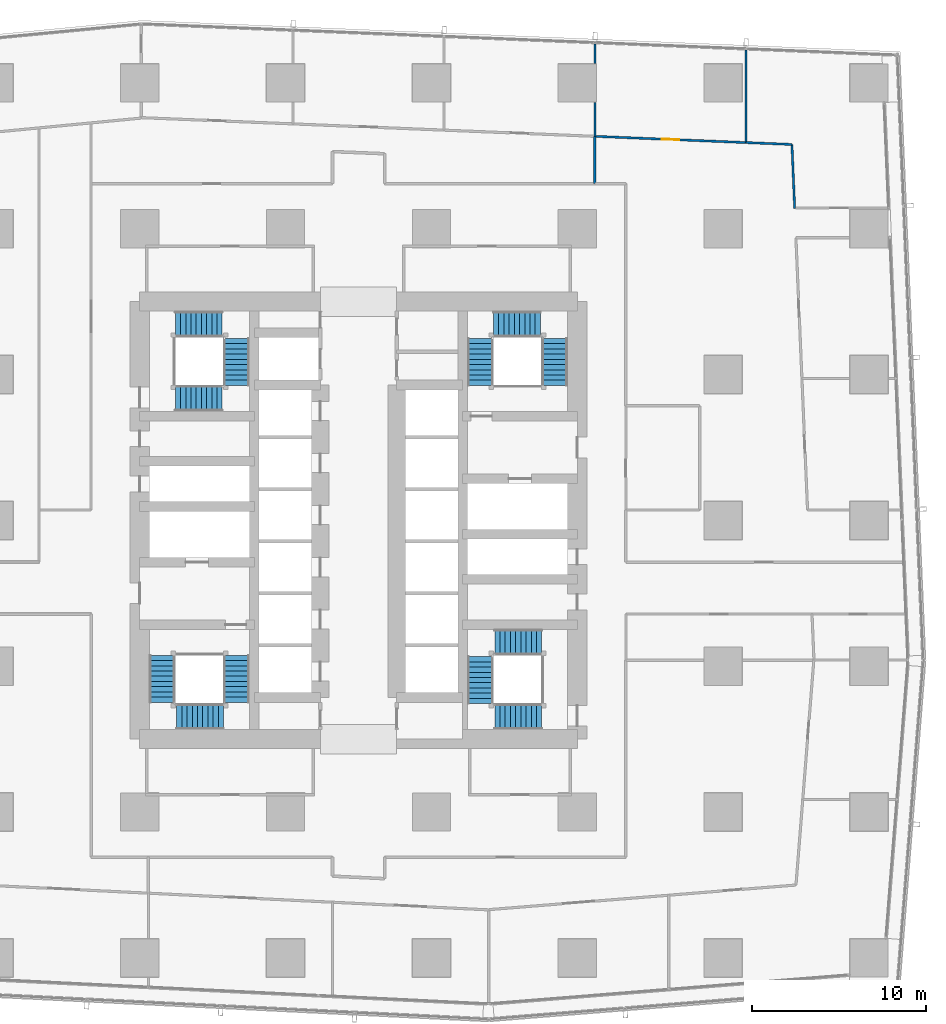
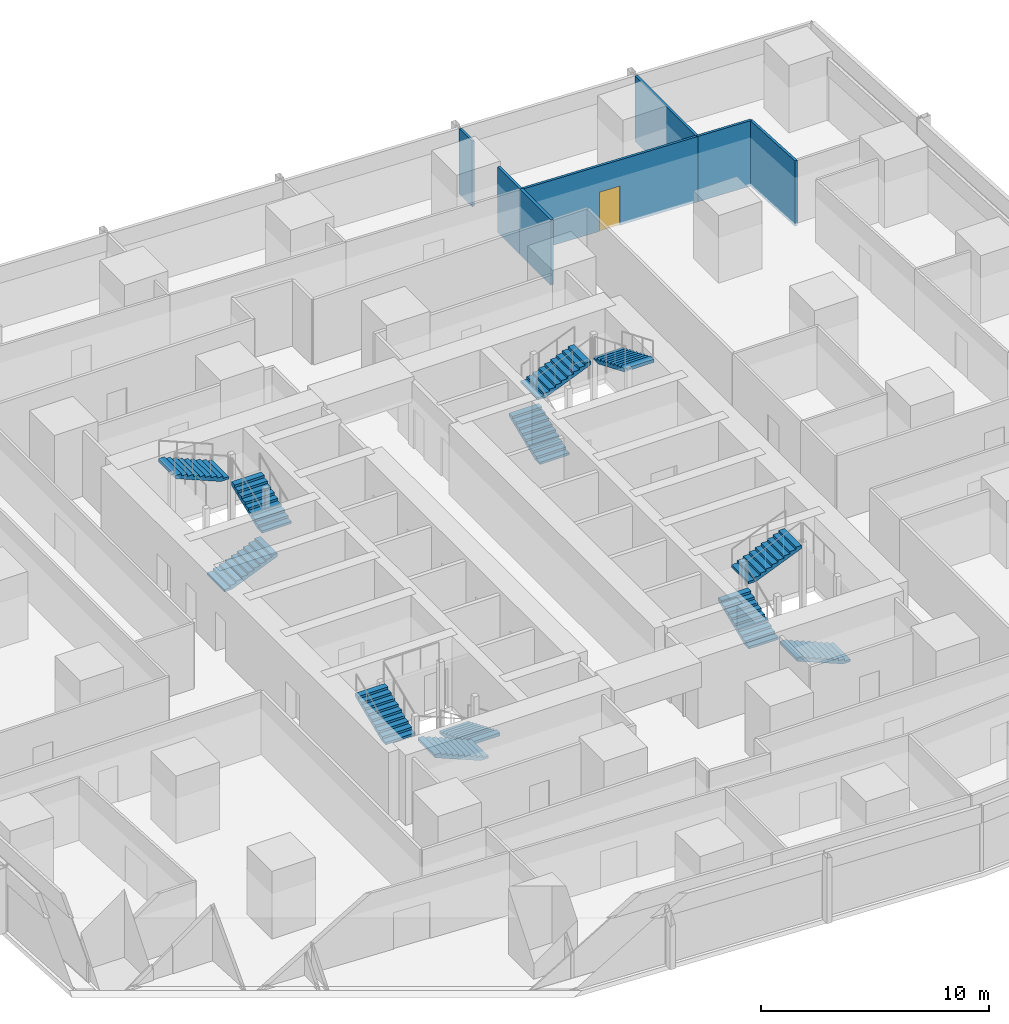
# One storey, part 35 of 44: 12 stair flights, 7 walls, 1 door, 1 opening, 4 elements without a shape of their own.
"""IFC4 building model written with IfcOpenShell, lengths in metres."""

from ifc_helpers import new_model, si_unit, direction, frame, frame_2d, origin, place, context, subcontext, project, spatial, polyline, rectangle, outline, extrude, material, layer, layer_set, type_object, element, fill, aggregate, save


model = new_model("IFC4")

# Units and contexts
model_context = context("Model", 3, precision=1e-05, world=origin(), true_north=direction((0.0, 1.0)))
body_context = subcontext(model_context, "Body", "Model", "MODEL_VIEW")
ifc_project = project(units=[si_unit("LENGTHUNIT", "METRE"), si_unit("AREAUNIT", "SQUARE_METRE"), si_unit("VOLUMEUNIT", "CUBIC_METRE"), si_unit("PLANEANGLEUNIT", "RADIAN"), si_unit("MASSUNIT", "GRAM", prefix="KILO")], contexts=[model_context])

# Site, building, storey
site_placement = place(None, origin())
site = spatial("IfcSite", under=ifc_project, at=site_placement, CompositionType="ELEMENT")
building_placement = place(site_placement, origin())
building = spatial("IfcBuilding", under=site, at=building_placement, Name="Rekha Terrace Tower", CompositionType="ELEMENT")
storey_placement = place(building_placement, frame((0.0, 0.0, 74.14990234375)))
storey = spatial("IfcBuildingStorey", under=building, at=storey_placement, Name="L18", CompositionType="ELEMENT", Elevation=74.14990234375)

# Walls
ifc_material_1 = material(Name="Concrete block masonry, 1 hour", Category="masonry")
ifc_layer_1 = layer(ifc_material_1, 0.14990234375)
ifc_layer_set_1 = layer_set([ifc_layer_1], Name="Concrete block masonry, 1 hour")
wall_type_1 = type_object("IfcWallType", Name="WP2 150 tenancy partition", PredefinedType="PARTITIONING", material=ifc_layer_set_1)
wall_1_placement = place(storey_placement, frame((51.416015625, 53.0, 0.0), z_axis=(0.0, 0.0, 1.0), x_axis=(0.0, 1.0, 0.0)))
element("IfcWall", 1, at=wall_1_placement, inside=storey, type_object=wall_type_1, Name="Partition L18-O2", PredefinedType="PARTITIONING", context=body_context, shape_type="SweptSolid", body=[
    extrude(rectangle(XDim=2.719970703125, YDim=0.14990234375, at=frame_2d((1.35986328125, 0.0))), origin(), (0.0, 0.0, 1.0), 3.5),
])
ifc_material_2 = material(Name="Two layers of fire-rated gypsum board each side on steel studs, acoustic quilt, 1 hour", Category="steel")
ifc_layer_2 = layer(ifc_material_2, 0.125)
ifc_layer_set_2 = layer_set([ifc_layer_2], Name="Two layers of fire-rated gypsum board each side on steel studs, acoustic quilt, 1 hour")
wall_type_2 = type_object("IfcWallType", Name="WP3 125 office partition", PredefinedType="PARTITIONING", material=ifc_layer_set_2)
wall_2_placement = place(storey_placement, frame((60.112060546875, 55.361083984375, 0.0), z_axis=(0.0, 0.0, 1.0), x_axis=(0.0, 1.0, 0.0)))
element("IfcWall", 2, at=wall_2_placement, inside=storey, type_object=wall_type_2, Name="Partition L18-09", PredefinedType="PARTITIONING", context=body_context, shape_type="SweptSolid", body=[
    extrude(rectangle(XDim=5.324951171875, YDim=0.125, at=frame_2d((2.66259765625, 0.0))), origin(), (0.0, 0.0, 1.0), 3.5),
])
wall_3_placement = place(storey_placement, frame((62.9208984375, 51.556884765625, 0.0), z_axis=(0.0, 0.0, 1.0), x_axis=(-0.042709589124, 0.999087529197, 0.0)))
element("IfcWall", 3, at=wall_3_placement, inside=storey, type_object=wall_type_2, Name="Partition L18-09", PredefinedType="PARTITIONING", context=body_context, shape_type="SweptSolid", body=[
    extrude(rectangle(XDim=3.698486328125, YDim=0.125, at=frame_2d((1.84912109375, 0.0))), origin(), (0.0, 0.0, 1.0), 3.5),
])
wall_4_placement = place(storey_placement, frame((62.762939453125, 55.251953125, 0.0), z_axis=(0.0, 0.0, 1.0), x_axis=(-0.999153681613, 0.041132961474, 0.0)))
element("IfcWall", 4, at=wall_4_placement, inside=storey, type_object=wall_type_2, Name="Partition L18-09", PredefinedType="PARTITIONING", context=body_context, shape_type="SweptSolid", body=[
    extrude(rectangle(XDim=2.653076171875, YDim=0.125, at=frame_2d((1.32666015625, 0.0))), origin(), (0.0, 0.0, 1.0), 3.5),
])

# Wall, opening, door
wall_5_placement = place(storey_placement, frame((60.111083984375, 55.361083984375, 0.0), z_axis=(0.0, 0.0, 1.0), x_axis=(-0.99914928457, 0.041239630726, 0.0)))
wall_5 = element("IfcWall", 5, at=wall_5_placement, inside=storey, type_object=wall_type_2, Name="Partition L18-10", PredefinedType="PARTITIONING", context=body_context, shape_type="SweptSolid", body=[
    extrude(rectangle(XDim=8.702392578125, YDim=0.125, at=frame_2d((4.35107421875, 0.0))), origin(), (0.0, 0.0, 1.0), 3.5),
])
opening_placement = place(wall_5_placement, frame((3.85107421875, 0.0, 0.0)))
opening = element("IfcOpeningElement", 6, at=opening_placement, cuts=wall_5, Name="Opening D9", PredefinedType="OPENING", context=body_context, shape_type="SweptSolid", body=[
    extrude(rectangle(XDim=1.0, YDim=2.10009765625, at=frame_2d((0.5, 1.050048828125))), frame((0.0, 0.072509765625, 0.0), z_axis=(0.0, -1.0, 0.0), x_axis=(1.0, 0.0, 0.0)), (0.0, 0.0, 1.0), 0.14501953125),
])
ifc_material_3 = material(Name="Timber fire door", Category="wood")
door_type = type_object("IfcDoorType", Name="D9 1000x2100 office door", OperationType="SINGLE_SWING_LEFT", PredefinedType="DOOR", material=ifc_material_3)
door_placement = place(opening_placement, origin())
door = element("IfcDoor", 7, at=door_placement, inside=storey, type_object=door_type, Name="Door office L18", OperationType="SINGLE_SWING_LEFT", OverallHeight=2.10009765625, OverallWidth=1.0, PredefinedType="DOOR", context=body_context, shape_type="SweptSolid", body=[
    extrude(rectangle(XDim=1.0, YDim=2.10009765625, at=frame_2d((0.5, 1.050048828125))), frame((0.0, 0.02490234375, 0.0), z_axis=(0.0, -1.0, 0.0), x_axis=(1.0, 0.0, 0.0)), (0.0, 0.0, 1.0), 0.050048828125),
])
fill(opening, door)

# Walls
wall_6_placement = place(storey_placement, frame((51.416015625, 55.719970703125, 0.0), z_axis=(0.0, 0.0, 1.0), x_axis=(0.0, 1.0, 0.0)))
element("IfcWall", 8, at=wall_6_placement, inside=storey, type_object=wall_type_2, Name="Partition L18-10", PredefinedType="PARTITIONING", context=body_context, shape_type="SweptSolid", body=[
    extrude(rectangle(XDim=1.9599609375, YDim=0.125, at=frame_2d((0.97998046875, 0.0))), origin(), (0.0, 0.0, 1.0), 3.5),
])
wall_7_placement = place(storey_placement, frame((51.416015625, 59.919921875, 0.0), z_axis=(0.0, 0.0, 1.0), x_axis=(0.0, 1.0, 0.0)))
element("IfcWall", 9, at=wall_7_placement, inside=storey, type_object=wall_type_2, Name="Partition L18-10", PredefinedType="PARTITIONING", context=body_context, shape_type="SweptSolid", body=[
    extrude(rectangle(XDim=1.1240234375, YDim=0.125, at=frame_2d((0.56201171875, 0.0))), origin(), (0.0, 0.0, 1.0), 3.5),
])

# Stair, stair flights
ifc_material_4 = material(Name="Concrete M40", Category="concrete")
stair_type = type_object("IfcStairType", Name="ST30 stair, 30 risers of 125, going 300, 1500 wide flights, 3 flights", PredefinedType="HALF_TURN_STAIR", material=ifc_material_4)
stair_1_placement = place(storey_placement, origin())
stair_1 = element("IfcStair", 10, at=stair_1_placement, inside=storey, type_object=stair_type, Name="Stair ST1 L18 to L19", PredefinedType="HALF_TURN_STAIR")
stair_flight_type = type_object("IfcStairFlightType", Name="SF10 stair flight, 10 risers of 125, going 300, 1500 wide", PredefinedType="STRAIGHT", material=ifc_material_4)
stair_flight_1_placement = place(storey_placement, frame((30.77490234375, 25.824951171875, 0.0), z_axis=(0.0, 0.0, 1.0), x_axis=(0.0, -1.0, 0.0)))
stair_flight_1 = element("IfcStairFlight", 11, at=stair_flight_1_placement, type_object=stair_flight_type, Name="ST1 flight 1", NumberOfRisers=10, NumberOfTreads=9, PredefinedType="STRAIGHT", RiserHeight=0.125, TreadLength=0.3, context=body_context, shape_type="SweptSolid", body=[
    extrude(outline(polyline([(0.0, 0.0), (0.0, 0.125), (0.300048828125, 0.125), (0.300048828125, 0.25), (0.60009765625, 0.25), (0.60009765625, 0.375), (0.89990234375, 0.375), (0.89990234375, 0.5), (1.199951171875, 0.5), (1.199951171875, 0.625), (1.5, 0.625), (1.5, 0.75), (1.800048828125, 0.75), (1.800048828125, 0.875), (2.10009765625, 0.875), (2.10009765625, 1.0), (2.39990234375, 1.0), (2.39990234375, 1.125), (2.699951171875, 1.125), (2.699951171875, 1.25), (2.699951171875, 0.962646484375), (0.3896484375, 0.0), (0.0, 0.0)])), frame((0.0, 0.75, 0.0), z_axis=(0.0, -1.0, 0.0), x_axis=(1.0, 0.0, 0.0)), (0.0, 0.0, 1.0), 1.5),
])
stair_flight_2_placement = place(storey_placement, frame((30.02490234375, 22.300048828125, 1.25), z_axis=(0.0, 0.0, 1.0), x_axis=(-1.0, 0.0, 0.0)))
stair_flight_2 = element("IfcStairFlight", 12, at=stair_flight_2_placement, type_object=stair_flight_type, Name="ST1 flight 2", NumberOfRisers=10, NumberOfTreads=9, PredefinedType="STRAIGHT", RiserHeight=0.125, TreadLength=0.3, context=body_context, shape_type="SweptSolid", body=[
    extrude(outline(polyline([(0.0, 0.0), (0.0, 0.125), (0.300048828125, 0.125), (0.300048828125, 0.25), (0.60009765625, 0.25), (0.60009765625, 0.375), (0.89990234375, 0.375), (0.89990234375, 0.5), (1.199951171875, 0.5), (1.199951171875, 0.625), (1.5, 0.625), (1.5, 0.75), (1.800048828125, 0.75), (1.800048828125, 0.875), (2.10009765625, 0.875), (2.10009765625, 1.0), (2.39990234375, 1.0), (2.39990234375, 1.125), (2.699951171875, 1.125), (2.699951171875, 1.25), (2.699951171875, 0.962646484375), (0.3896484375, 0.0), (0.0, 0.0)])), frame((0.0, 0.75, 0.0), z_axis=(0.0, -1.0, 0.0), x_axis=(1.0, 0.0, 0.0)), (0.0, 0.0, 1.0), 1.5),
])
stair_flight_3_placement = place(storey_placement, frame((26.5, 23.125, 2.5), z_axis=(0.0, 0.0, 1.0), x_axis=(0.0, 1.0, 0.0)))
stair_flight_3 = element("IfcStairFlight", 13, at=stair_flight_3_placement, type_object=stair_flight_type, Name="ST1 flight 3", NumberOfRisers=10, NumberOfTreads=9, PredefinedType="STRAIGHT", RiserHeight=0.125, TreadLength=0.3, context=body_context, shape_type="SweptSolid", body=[
    extrude(outline(polyline([(0.0, 0.0), (0.0, 0.125), (0.300048828125, 0.125), (0.300048828125, 0.25), (0.60009765625, 0.25), (0.60009765625, 0.375), (0.89990234375, 0.375), (0.89990234375, 0.5), (1.199951171875, 0.5), (1.199951171875, 0.625), (1.5, 0.625), (1.5, 0.75), (1.800048828125, 0.75), (1.800048828125, 0.875), (2.10009765625, 0.875), (2.10009765625, 1.0), (2.39990234375, 1.0), (2.39990234375, 1.125), (2.699951171875, 1.125), (2.699951171875, 1.25), (2.699951171875, 0.962646484375), (0.3896484375, 0.0), (0.0, 0.0)])), frame((0.0, 0.75, 0.0), z_axis=(0.0, -1.0, 0.0), x_axis=(1.0, 0.0, 0.0)), (0.0, 0.0, 1.0), 1.5),
])
aggregate(stair_1, [stair_flight_1, stair_flight_2, stair_flight_3])

stair_2_placement = place(storey_placement, origin())
stair_2 = element("IfcStair", 14, at=stair_2_placement, inside=storey, type_object=stair_type, Name="Stair ST2 L18 to L19", PredefinedType="HALF_TURN_STAIR")
stair_flight_4_placement = place(storey_placement, frame((44.824951171875, 41.375, 0.0), z_axis=(0.0, 0.0, 1.0), x_axis=(0.0, 1.0, 0.0)))
stair_flight_4 = element("IfcStairFlight", 15, at=stair_flight_4_placement, type_object=stair_flight_type, Name="ST2 flight 1", NumberOfRisers=10, NumberOfTreads=9, PredefinedType="STRAIGHT", RiserHeight=0.125, TreadLength=0.3, context=body_context, shape_type="SweptSolid", body=[
    extrude(outline(polyline([(0.0, 0.0), (0.0, 0.125), (0.300048828125, 0.125), (0.300048828125, 0.25), (0.60009765625, 0.25), (0.60009765625, 0.375), (0.89990234375, 0.375), (0.89990234375, 0.5), (1.199951171875, 0.5), (1.199951171875, 0.625), (1.5, 0.625), (1.5, 0.75), (1.800048828125, 0.75), (1.800048828125, 0.875), (2.10009765625, 0.875), (2.10009765625, 1.0), (2.39990234375, 1.0), (2.39990234375, 1.125), (2.699951171875, 1.125), (2.699951171875, 1.25), (2.699951171875, 0.962646484375), (0.3896484375, 0.0), (0.0, 0.0)])), frame((0.0, 0.75, 0.0), z_axis=(0.0, -1.0, 0.0), x_axis=(1.0, 0.0, 0.0)), (0.0, 0.0, 1.0), 1.5),
])
stair_flight_5_placement = place(storey_placement, frame((45.574951171875, 44.89990234375, 1.25), z_axis=(0.0, 0.0, 1.0), x_axis=(1.0, 0.0, 0.0)))
stair_flight_5 = element("IfcStairFlight", 16, at=stair_flight_5_placement, type_object=stair_flight_type, Name="ST2 flight 2", NumberOfRisers=10, NumberOfTreads=9, PredefinedType="STRAIGHT", RiserHeight=0.125, TreadLength=0.3, context=body_context, shape_type="SweptSolid", body=[
    extrude(outline(polyline([(0.0, 0.0), (0.0, 0.125), (0.300048828125, 0.125), (0.300048828125, 0.25), (0.60009765625, 0.25), (0.60009765625, 0.375), (0.89990234375, 0.375), (0.89990234375, 0.5), (1.199951171875, 0.5), (1.199951171875, 0.625), (1.5, 0.625), (1.5, 0.75), (1.800048828125, 0.75), (1.800048828125, 0.875), (2.10009765625, 0.875), (2.10009765625, 1.0), (2.39990234375, 1.0), (2.39990234375, 1.125), (2.699951171875, 1.125), (2.699951171875, 1.25), (2.699951171875, 0.962646484375), (0.3896484375, 0.0), (0.0, 0.0)])), frame((0.0, 0.75, 0.0), z_axis=(0.0, -1.0, 0.0), x_axis=(1.0, 0.0, 0.0)), (0.0, 0.0, 1.0), 1.5),
])
stair_flight_6_placement = place(storey_placement, frame((49.10009765625, 44.074951171875, 2.5), z_axis=(0.0, 0.0, 1.0), x_axis=(0.0, -1.0, 0.0)))
stair_flight_6 = element("IfcStairFlight", 17, at=stair_flight_6_placement, type_object=stair_flight_type, Name="ST2 flight 3", NumberOfRisers=10, NumberOfTreads=9, PredefinedType="STRAIGHT", RiserHeight=0.125, TreadLength=0.3, context=body_context, shape_type="SweptSolid", body=[
    extrude(outline(polyline([(0.0, 0.0), (0.0, 0.125), (0.300048828125, 0.125), (0.300048828125, 0.25), (0.60009765625, 0.25), (0.60009765625, 0.375), (0.89990234375, 0.375), (0.89990234375, 0.5), (1.199951171875, 0.5), (1.199951171875, 0.625), (1.5, 0.625), (1.5, 0.75), (1.800048828125, 0.75), (1.800048828125, 0.875), (2.10009765625, 0.875), (2.10009765625, 1.0), (2.39990234375, 1.0), (2.39990234375, 1.125), (2.699951171875, 1.125), (2.699951171875, 1.25), (2.699951171875, 0.962646484375), (0.3896484375, 0.0), (0.0, 0.0)])), frame((0.0, 0.75, 0.0), z_axis=(0.0, -1.0, 0.0), x_axis=(1.0, 0.0, 0.0)), (0.0, 0.0, 1.0), 1.5),
])
aggregate(stair_2, [stair_flight_4, stair_flight_5, stair_flight_6])

stair_3_placement = place(storey_placement, origin())
stair_3 = element("IfcStair", 18, at=stair_3_placement, inside=storey, type_object=stair_type, Name="Stair ST3 L18 to L19", PredefinedType="HALF_TURN_STAIR")
stair_flight_7_placement = place(storey_placement, frame((48.35009765625, 22.300048828125, 0.0), z_axis=(0.0, 0.0, 1.0), x_axis=(-1.0, 0.0, 0.0)))
stair_flight_7 = element("IfcStairFlight", 19, at=stair_flight_7_placement, type_object=stair_flight_type, Name="ST3 flight 1", NumberOfRisers=10, NumberOfTreads=9, PredefinedType="STRAIGHT", RiserHeight=0.125, TreadLength=0.3, context=body_context, shape_type="SweptSolid", body=[
    extrude(outline(polyline([(0.0, 0.0), (0.0, 0.125), (0.300048828125, 0.125), (0.300048828125, 0.25), (0.60009765625, 0.25), (0.60009765625, 0.375), (0.89990234375, 0.375), (0.89990234375, 0.5), (1.199951171875, 0.5), (1.199951171875, 0.625), (1.5, 0.625), (1.5, 0.75), (1.800048828125, 0.75), (1.800048828125, 0.875), (2.10009765625, 0.875), (2.10009765625, 1.0), (2.39990234375, 1.0), (2.39990234375, 1.125), (2.699951171875, 1.125), (2.699951171875, 1.25), (2.699951171875, 0.962646484375), (0.3896484375, 0.0), (0.0, 0.0)])), frame((0.0, 0.75, 0.0), z_axis=(0.0, -1.0, 0.0), x_axis=(1.0, 0.0, 0.0)), (0.0, 0.0, 1.0), 1.5),
])
stair_flight_8_placement = place(storey_placement, frame((44.824951171875, 23.050048828125, 1.25), z_axis=(0.0, 0.0, 1.0), x_axis=(0.0, 1.0, 0.0)))
stair_flight_8 = element("IfcStairFlight", 20, at=stair_flight_8_placement, type_object=stair_flight_type, Name="ST3 flight 2", NumberOfRisers=10, NumberOfTreads=9, PredefinedType="STRAIGHT", RiserHeight=0.125, TreadLength=0.3, context=body_context, shape_type="SweptSolid", body=[
    extrude(outline(polyline([(0.0, 0.0), (0.0, 0.125), (0.300048828125, 0.125), (0.300048828125, 0.25), (0.60009765625, 0.25), (0.60009765625, 0.375), (0.89990234375, 0.375), (0.89990234375, 0.5), (1.199951171875, 0.5), (1.199951171875, 0.625), (1.5, 0.625), (1.5, 0.75), (1.800048828125, 0.75), (1.800048828125, 0.875), (2.10009765625, 0.875), (2.10009765625, 1.0), (2.39990234375, 1.0), (2.39990234375, 1.125), (2.699951171875, 1.125), (2.699951171875, 1.25), (2.699951171875, 0.962646484375), (0.3896484375, 0.0), (0.0, 0.0)])), frame((0.0, 0.75, 0.0), z_axis=(0.0, -1.0, 0.0), x_axis=(1.0, 0.0, 0.0)), (0.0, 0.0, 1.0), 1.5),
])
stair_flight_9_placement = place(storey_placement, frame((45.64990234375, 26.574951171875, 2.5), z_axis=(0.0, 0.0, 1.0), x_axis=(1.0, 0.0, 0.0)))
stair_flight_9 = element("IfcStairFlight", 21, at=stair_flight_9_placement, type_object=stair_flight_type, Name="ST3 flight 3", NumberOfRisers=10, NumberOfTreads=9, PredefinedType="STRAIGHT", RiserHeight=0.125, TreadLength=0.3, context=body_context, shape_type="SweptSolid", body=[
    extrude(outline(polyline([(0.0, 0.0), (0.0, 0.125), (0.300048828125, 0.125), (0.300048828125, 0.25), (0.60009765625, 0.25), (0.60009765625, 0.375), (0.89990234375, 0.375), (0.89990234375, 0.5), (1.199951171875, 0.5), (1.199951171875, 0.625), (1.5, 0.625), (1.5, 0.75), (1.800048828125, 0.75), (1.800048828125, 0.875), (2.10009765625, 0.875), (2.10009765625, 1.0), (2.39990234375, 1.0), (2.39990234375, 1.125), (2.699951171875, 1.125), (2.699951171875, 1.25), (2.699951171875, 0.962646484375), (0.3896484375, 0.0), (0.0, 0.0)])), frame((0.0, 0.75, 0.0), z_axis=(0.0, -1.0, 0.0), x_axis=(1.0, 0.0, 0.0)), (0.0, 0.0, 1.0), 1.5),
])
aggregate(stair_3, [stair_flight_7, stair_flight_8, stair_flight_9])

stair_4_placement = place(storey_placement, origin())
stair_4 = element("IfcStair", 22, at=stair_4_placement, inside=storey, type_object=stair_type, Name="Stair ST4 L18 to L19", PredefinedType="HALF_TURN_STAIR")
stair_flight_10_placement = place(storey_placement, frame((27.25, 40.625, 0.0), z_axis=(0.0, 0.0, 1.0), x_axis=(1.0, 0.0, 0.0)))
stair_flight_10 = element("IfcStairFlight", 23, at=stair_flight_10_placement, type_object=stair_flight_type, Name="ST4 flight 1", NumberOfRisers=10, NumberOfTreads=9, PredefinedType="STRAIGHT", RiserHeight=0.125, TreadLength=0.3, context=body_context, shape_type="SweptSolid", body=[
    extrude(outline(polyline([(0.0, 0.0), (0.0, 0.125), (0.300048828125, 0.125), (0.300048828125, 0.25), (0.60009765625, 0.25), (0.60009765625, 0.375), (0.89990234375, 0.375), (0.89990234375, 0.5), (1.199951171875, 0.5), (1.199951171875, 0.625), (1.5, 0.625), (1.5, 0.75), (1.800048828125, 0.75), (1.800048828125, 0.875), (2.10009765625, 0.875), (2.10009765625, 1.0), (2.39990234375, 1.0), (2.39990234375, 1.125), (2.699951171875, 1.125), (2.699951171875, 1.25), (2.699951171875, 0.962646484375), (0.3896484375, 0.0), (0.0, 0.0)])), frame((0.0, 0.75, 0.0), z_axis=(0.0, -1.0, 0.0), x_axis=(1.0, 0.0, 0.0)), (0.0, 0.0, 1.0), 1.5),
])
stair_flight_11_placement = place(storey_placement, frame((30.77490234375, 41.375, 1.25), z_axis=(0.0, 0.0, 1.0), x_axis=(0.0, 1.0, 0.0)))
stair_flight_11 = element("IfcStairFlight", 24, at=stair_flight_11_placement, type_object=stair_flight_type, Name="ST4 flight 2", NumberOfRisers=10, NumberOfTreads=9, PredefinedType="STRAIGHT", RiserHeight=0.125, TreadLength=0.3, context=body_context, shape_type="SweptSolid", body=[
    extrude(outline(polyline([(0.0, 0.0), (0.0, 0.125), (0.300048828125, 0.125), (0.300048828125, 0.25), (0.60009765625, 0.25), (0.60009765625, 0.375), (0.89990234375, 0.375), (0.89990234375, 0.5), (1.199951171875, 0.5), (1.199951171875, 0.625), (1.5, 0.625), (1.5, 0.75), (1.800048828125, 0.75), (1.800048828125, 0.875), (2.10009765625, 0.875), (2.10009765625, 1.0), (2.39990234375, 1.0), (2.39990234375, 1.125), (2.699951171875, 1.125), (2.699951171875, 1.25), (2.699951171875, 0.962646484375), (0.3896484375, 0.0), (0.0, 0.0)])), frame((0.0, 0.75, 0.0), z_axis=(0.0, -1.0, 0.0), x_axis=(1.0, 0.0, 0.0)), (0.0, 0.0, 1.0), 1.5),
])
stair_flight_12_placement = place(storey_placement, frame((29.949951171875, 44.89990234375, 2.5), z_axis=(0.0, 0.0, 1.0), x_axis=(-1.0, 0.0, 0.0)))
stair_flight_12 = element("IfcStairFlight", 25, at=stair_flight_12_placement, type_object=stair_flight_type, Name="ST4 flight 3", NumberOfRisers=10, NumberOfTreads=9, PredefinedType="STRAIGHT", RiserHeight=0.125, TreadLength=0.3, context=body_context, shape_type="SweptSolid", body=[
    extrude(outline(polyline([(0.0, 0.0), (0.0, 0.125), (0.300048828125, 0.125), (0.300048828125, 0.25), (0.60009765625, 0.25), (0.60009765625, 0.375), (0.89990234375, 0.375), (0.89990234375, 0.5), (1.199951171875, 0.5), (1.199951171875, 0.625), (1.5, 0.625), (1.5, 0.75), (1.800048828125, 0.75), (1.800048828125, 0.875), (2.10009765625, 0.875), (2.10009765625, 1.0), (2.39990234375, 1.0), (2.39990234375, 1.125), (2.699951171875, 1.125), (2.699951171875, 1.25), (2.699951171875, 0.962646484375), (0.3896484375, 0.0), (0.0, 0.0)])), frame((0.0, 0.75, 0.0), z_axis=(0.0, -1.0, 0.0), x_axis=(1.0, 0.0, 0.0)), (0.0, 0.0, 1.0), 1.5),
])
aggregate(stair_4, [stair_flight_10, stair_flight_11, stair_flight_12])

save(model, "model.ifc")
